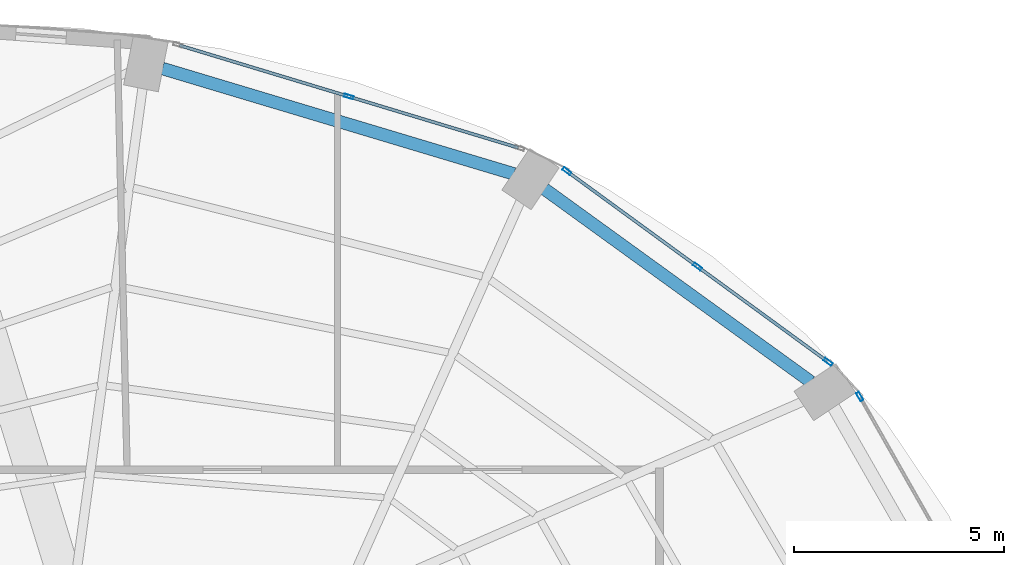
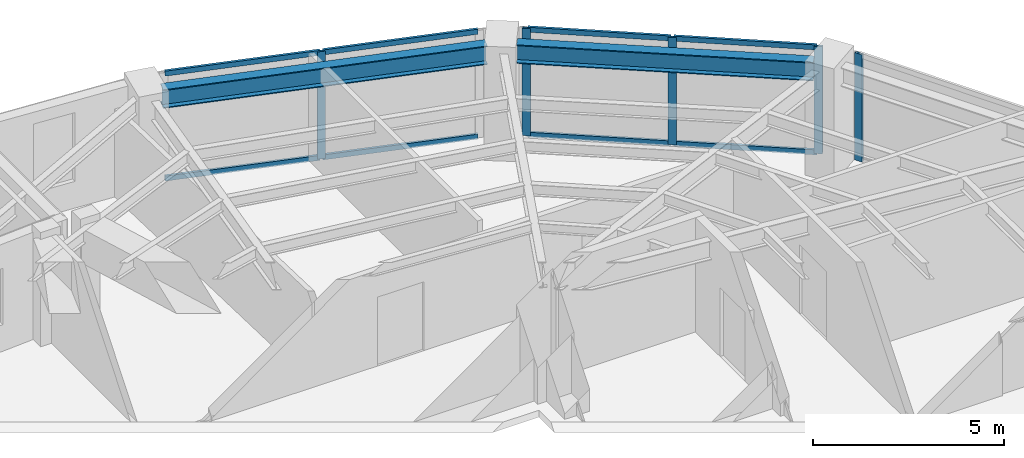
# One storey, part 17 of 23: 13 members, 2 beams, 3 elements without a shape of their own.
"""IFC4 building model written with IfcOpenShell, lengths in metres."""

from ifc_helpers import new_model, si_unit, direction, frame, origin, origin_2d, place, context, subcontext, project, spatial, hollow_rectangle, i_section, extrude, material, layer, layer_set, material_profile, profile_set, type_object, element, aggregate, save


model = new_model("IFC4")

# Units and contexts
model_context = context("Model", 3, precision=1e-05, world=origin(), true_north=direction((0.0, 1.0)))
body_context = subcontext(model_context, "Body", "Model", "MODEL_VIEW")
ifc_project = project(units=[si_unit("LENGTHUNIT", "METRE"), si_unit("AREAUNIT", "SQUARE_METRE"), si_unit("VOLUMEUNIT", "CUBIC_METRE"), si_unit("PLANEANGLEUNIT", "RADIAN"), si_unit("MASSUNIT", "GRAM", prefix="KILO")], contexts=[model_context])

# Site, building, storey
site_placement = place(None, origin())
site = spatial("IfcSite", under=ifc_project, at=site_placement, CompositionType="ELEMENT")
building_placement = place(site_placement, origin())
building = spatial("IfcBuilding", under=site, at=building_placement, Name="Lazwardi Medical Tower", CompositionType="ELEMENT")
storey_placement = place(building_placement, frame((0.0, 0.0, 107.280029296875)))
storey = spatial("IfcBuildingStorey", under=building, at=storey_placement, Name="L27", CompositionType="ELEMENT", Elevation=107.280029296875)

# Beams
ifc_material_1 = material(Name="Steel S355", Category="steel")
ifc_material_profile_1 = material_profile(ifc_material_1, i_section(OverallWidth=0.300048828125, OverallDepth=0.60009765625, WebThickness=0.015380859375, FlangeThickness=0.030029296875, at=origin_2d()), Name="HEB 600")
ifc_profile_set_1 = profile_set([ifc_material_profile_1], Name="Steel S355")
beam_type = type_object("IfcBeamType", Name="BM-RB-Z2", PredefinedType="BEAM", material=ifc_profile_set_1)
beam_1_placement = place(storey_placement, frame((56.74560546875, 40.835205078125, 3.1279296875), z_axis=(-0.81005674773, 0.586351486275, 0.0), x_axis=(-0.586351486275, -0.81005674773, 0.0)))
element("IfcBeam", 1, at=beam_1_placement, inside=storey, type_object=beam_type, Name="Ring beam RB-03 B06 L27", PredefinedType="BEAM", context=body_context, shape_type="SweptSolid", body=[
    extrude(i_section(OverallWidth=0.300048828125, OverallDepth=0.60009765625, WebThickness=0.015380859375, FlangeThickness=0.030029296875, at=origin_2d()), origin(), (0.0, 0.0, 1.0), 7.81396484375),
])
beam_2_placement = place(storey_placement, frame((49.69091796875, 45.775390625, 3.1279296875), z_axis=(-0.957879438442, 0.287170648587, 0.0), x_axis=(-0.287170648587, -0.957879438442, 0.0)))
element("IfcBeam", 2, at=beam_2_placement, inside=storey, type_object=beam_type, Name="Ring beam RB-03 B07 L27", PredefinedType="BEAM", context=body_context, shape_type="SweptSolid", body=[
    extrude(i_section(OverallWidth=0.300048828125, OverallDepth=0.60009765625, WebThickness=0.015380859375, FlangeThickness=0.030029296875, at=origin_2d()), origin(), (0.0, 0.0, 1.0), 8.719970703125),
])

# Curtain wall, member
ifc_material_2 = material(Name="Anodised bronze aluminium and solar control glazing", Category="aluminium")
ifc_layer = layer(ifc_material_2, 0.195068359375)
ifc_layer_set = layer_set([ifc_layer], Name="Anodised bronze aluminium and solar control glazing")
curtain_wall_type = type_object("IfcCurtainWallType", Name="CW-SYS-03", PredefinedType="NOTDEFINED", material=ifc_layer_set)
curtain_wall_1_placement = place(storey_placement, origin())
curtain_wall_1 = element("IfcCurtainWall", 3, at=curtain_wall_1_placement, inside=storey, type_object=curtain_wall_type, Name="L27 Unitised bronze curtain wall CW-03", PredefinedType="NOTDEFINED")
ifc_material_3 = material(Name="Anodised bronze aluminium", Category="aluminium")
ifc_material_profile_2 = material_profile(ifc_material_3, hollow_rectangle(XDim=0.074951171875, YDim=0.219970703125, WallThickness=0.00390625, at=origin_2d()), Name="ALU-MULLION 220x75x4")
ifc_profile_set_2 = profile_set([ifc_material_profile_2], Name="Anodised bronze aluminium")
member_type_1 = type_object("IfcMemberType", Name="CW-MUL-01", PredefinedType="MULLION", material=ifc_profile_set_2)
member_1_placement = place(storey_placement, frame((57.9072265625, 40.48583984375, 0.0), z_axis=(0.0, 0.0, 1.0), x_axis=(-0.869687265712, -0.493603140041, 0.0)))
member_1 = element("IfcMember", 4, at=member_1_placement, type_object=member_type_1, Name="CW-03 mullion 2", PredefinedType="MULLION", context=body_context, shape_type="SweptSolid", body=[
    extrude(hollow_rectangle(XDim=0.074951171875, YDim=0.219970703125, WallThickness=0.00390625, at=origin_2d()), origin(), (0.0, 0.0, 1.0), 3.427978515625),
])
aggregate(curtain_wall_1, [member_1])

# Curtain wall, members
curtain_wall_2_placement = place(storey_placement, origin())
curtain_wall_2 = element("IfcCurtainWall", 5, at=curtain_wall_2_placement, inside=storey, type_object=curtain_wall_type, Name="L27 Unitised bronze curtain wall CW-03", PredefinedType="NOTDEFINED")
member_2_placement = place(storey_placement, frame((57.155029296875, 41.308837890625, 0.0), z_axis=(0.0, 0.0, 1.0), x_axis=(-0.589530882802, -0.807745837639, 0.0)))
member_2 = element("IfcMember", 6, at=member_2_placement, type_object=member_type_1, Name="CW-03 mullion 1", PredefinedType="MULLION", context=body_context, shape_type="SweptSolid", body=[
    extrude(hollow_rectangle(XDim=0.074951171875, YDim=0.219970703125, WallThickness=0.00390625, at=origin_2d()), origin(), (0.0, 0.0, 1.0), 3.427978515625),
])
member_3_placement = place(storey_placement, frame((54.051025390625, 43.57421875, 0.0), z_axis=(0.0, 0.0, 1.0), x_axis=(-0.589530882802, -0.807745837639, 0.0)))
member_3 = element("IfcMember", 7, at=member_3_placement, type_object=member_type_1, Name="CW-03 mullion 2", PredefinedType="MULLION", context=body_context, shape_type="SweptSolid", body=[
    extrude(hollow_rectangle(XDim=0.074951171875, YDim=0.219970703125, WallThickness=0.00390625, at=origin_2d()), origin(), (0.0, 0.0, 1.0), 3.427978515625),
])
member_4_placement = place(storey_placement, frame((50.947265625, 45.839599609375, 0.0), z_axis=(0.0, 0.0, 1.0), x_axis=(-0.589530882802, -0.807745837639, 0.0)))
member_4 = element("IfcMember", 8, at=member_4_placement, type_object=member_type_1, Name="CW-03 mullion 3", PredefinedType="MULLION", context=body_context, shape_type="SweptSolid", body=[
    extrude(hollow_rectangle(XDim=0.074951171875, YDim=0.219970703125, WallThickness=0.00390625, at=origin_2d()), origin(), (0.0, 0.0, 1.0), 3.427978515625),
])

# Curtain wall, member
curtain_wall_3_placement = place(storey_placement, origin())
curtain_wall_3 = element("IfcCurtainWall", 9, at=curtain_wall_3_placement, inside=storey, type_object=curtain_wall_type, Name="L27 Unitised bronze curtain wall CW-03", PredefinedType="NOTDEFINED")
member_5_placement = place(storey_placement, frame((45.769287109375, 47.613037109375, 0.0), z_axis=(0.0, 0.0, 1.0), x_axis=(-0.28937381157, -0.957216170558, 0.0)))
member_5 = element("IfcMember", 10, at=member_5_placement, type_object=member_type_1, Name="CW-03 mullion 2", PredefinedType="MULLION", context=body_context, shape_type="SweptSolid", body=[
    extrude(hollow_rectangle(XDim=0.074951171875, YDim=0.219970703125, WallThickness=0.00390625, at=origin_2d()), origin(), (0.0, 0.0, 1.0), 3.427978515625),
])

# Member
ifc_material_profile_3 = material_profile(ifc_material_3, hollow_rectangle(XDim=0.074951171875, YDim=0.159912109375, WallThickness=0.00390625, at=origin_2d()), Name="ALU-TRANSOM 160x75x4")
ifc_profile_set_3 = profile_set([ifc_material_profile_3], Name="Anodised bronze aluminium")
member_type_2 = type_object("IfcMemberType", Name="CW-TRN-01", PredefinedType="USERDEFINED", material=ifc_profile_set_3)
member_6_placement = place(storey_placement, frame((57.12451171875, 41.3310546875, 0.037353515625), z_axis=(-0.807731734271, 0.589550206049, 0.0), x_axis=(-0.589550206049, -0.807731734271, 0.0)))
member_6 = element("IfcMember", 11, at=member_6_placement, type_object=member_type_2, Name="CW-03 transom 1.1", ObjectType="TRANSOM", PredefinedType="USERDEFINED", context=body_context, shape_type="SweptSolid", body=[
    extrude(hollow_rectangle(XDim=0.074951171875, YDim=0.159912109375, WallThickness=0.00390625, at=origin_2d()), origin(), (0.0, 0.0, 1.0), 3.767578125),
])

member_7_placement = place(storey_placement, frame((57.12451171875, 41.3310546875, 3.390380859375), z_axis=(-0.807731734271, 0.589550206049, 0.0), x_axis=(-0.589550206049, -0.807731734271, 0.0)))
member_7 = element("IfcMember", 12, at=member_7_placement, type_object=member_type_2, Name="CW-03 transom 1.2", ObjectType="TRANSOM", PredefinedType="USERDEFINED", context=body_context, shape_type="SweptSolid", body=[
    extrude(hollow_rectangle(XDim=0.074951171875, YDim=0.159912109375, WallThickness=0.00390625, at=origin_2d()), origin(), (0.0, 0.0, 1.0), 3.767578125),
])

member_8_placement = place(storey_placement, frame((54.020751953125, 43.596435546875, 0.037353515625), z_axis=(-0.80776259199, 0.58950792614, 0.0), x_axis=(-0.58950792614, -0.80776259199, 0.0)))
member_8 = element("IfcMember", 13, at=member_8_placement, type_object=member_type_2, Name="CW-03 transom 2.1", ObjectType="TRANSOM", PredefinedType="USERDEFINED", context=body_context, shape_type="SweptSolid", body=[
    extrude(hollow_rectangle(XDim=0.074951171875, YDim=0.159912109375, WallThickness=0.00390625, at=origin_2d()), origin(), (0.0, 0.0, 1.0), 3.767578125),
])

member_9_placement = place(storey_placement, frame((54.020751953125, 43.596435546875, 3.390380859375), z_axis=(-0.80776259199, 0.58950792614, 0.0), x_axis=(-0.58950792614, -0.80776259199, 0.0)))
member_9 = element("IfcMember", 14, at=member_9_placement, type_object=member_type_2, Name="CW-03 transom 2.2", ObjectType="TRANSOM", PredefinedType="USERDEFINED", context=body_context, shape_type="SweptSolid", body=[
    extrude(hollow_rectangle(XDim=0.074951171875, YDim=0.159912109375, WallThickness=0.00390625, at=origin_2d()), origin(), (0.0, 0.0, 1.0), 3.767578125),
])

aggregate(curtain_wall_2, [member_2, member_3, member_4, member_6, member_7, member_8, member_9])

member_10_placement = place(storey_placement, frame((49.79248046875, 46.396728515625, 0.037353515625), z_axis=(-0.957204630929, 0.289411980623, 0.0), x_axis=(-0.289411980623, -0.957204630929, 0.0)))
member_10 = element("IfcMember", 15, at=member_10_placement, type_object=member_type_2, Name="CW-03 transom 1.1", ObjectType="TRANSOM", PredefinedType="USERDEFINED", context=body_context, shape_type="SweptSolid", body=[
    extrude(hollow_rectangle(XDim=0.074951171875, YDim=0.159912109375, WallThickness=0.00390625, at=origin_2d()), origin(), (0.0, 0.0, 1.0), 4.16552734375),
])

member_11_placement = place(storey_placement, frame((49.79248046875, 46.396728515625, 3.390380859375), z_axis=(-0.957204630929, 0.289411980623, 0.0), x_axis=(-0.289411980623, -0.957204630929, 0.0)))
member_11 = element("IfcMember", 16, at=member_11_placement, type_object=member_type_2, Name="CW-03 transom 1.2", ObjectType="TRANSOM", PredefinedType="USERDEFINED", context=body_context, shape_type="SweptSolid", body=[
    extrude(hollow_rectangle(XDim=0.074951171875, YDim=0.159912109375, WallThickness=0.00390625, at=origin_2d()), origin(), (0.0, 0.0, 1.0), 4.16552734375),
])

member_12_placement = place(storey_placement, frame((45.7333984375, 47.6240234375, 0.037353515625), z_axis=(-0.957220865985, 0.289358279168, 0.0), x_axis=(-0.289358279168, -0.957220865985, 0.0)))
member_12 = element("IfcMember", 17, at=member_12_placement, type_object=member_type_2, Name="CW-03 transom 2.1", ObjectType="TRANSOM", PredefinedType="USERDEFINED", context=body_context, shape_type="SweptSolid", body=[
    extrude(hollow_rectangle(XDim=0.074951171875, YDim=0.159912109375, WallThickness=0.00390625, at=origin_2d()), origin(), (0.0, 0.0, 1.0), 4.16552734375),
])

member_13_placement = place(storey_placement, frame((45.7333984375, 47.6240234375, 3.390380859375), z_axis=(-0.957220865985, 0.289358279168, 0.0), x_axis=(-0.289358279168, -0.957220865985, 0.0)))
member_13 = element("IfcMember", 18, at=member_13_placement, type_object=member_type_2, Name="CW-03 transom 2.2", ObjectType="TRANSOM", PredefinedType="USERDEFINED", context=body_context, shape_type="SweptSolid", body=[
    extrude(hollow_rectangle(XDim=0.074951171875, YDim=0.159912109375, WallThickness=0.00390625, at=origin_2d()), origin(), (0.0, 0.0, 1.0), 4.16552734375),
])

aggregate(curtain_wall_3, [member_5, member_10, member_11, member_12, member_13])

save(model, "model.ifc")
